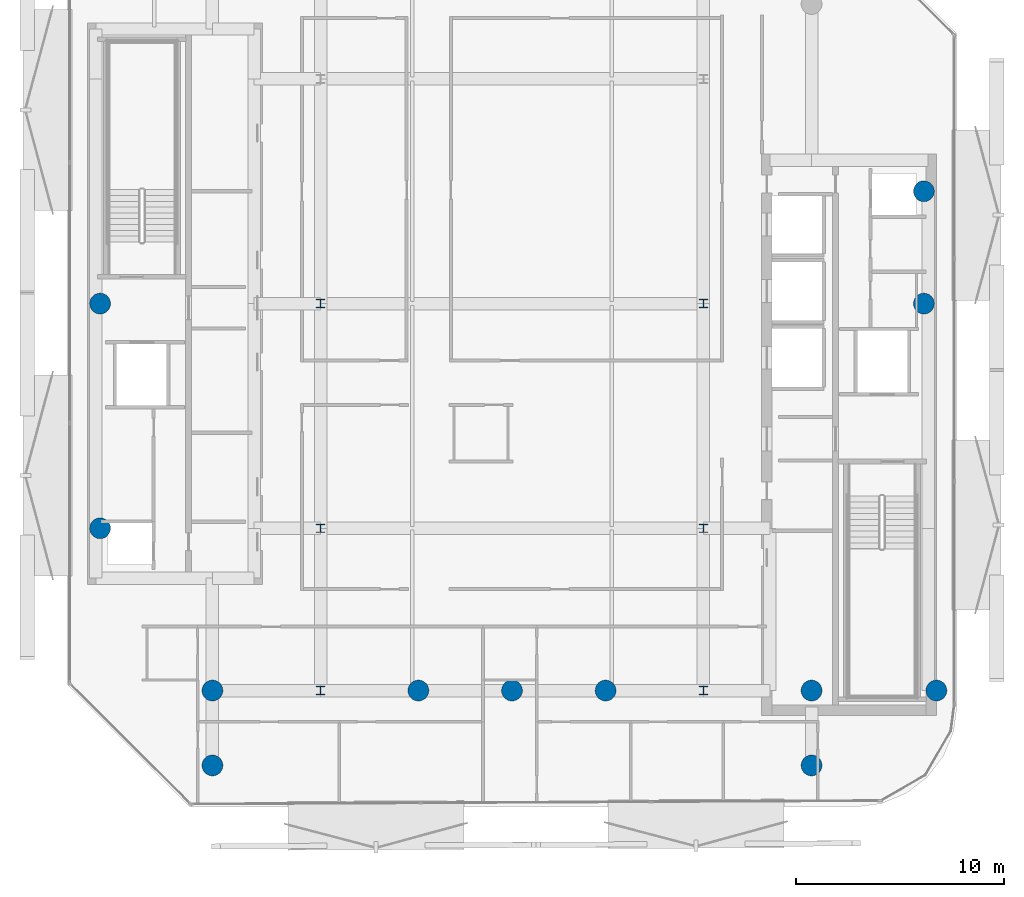
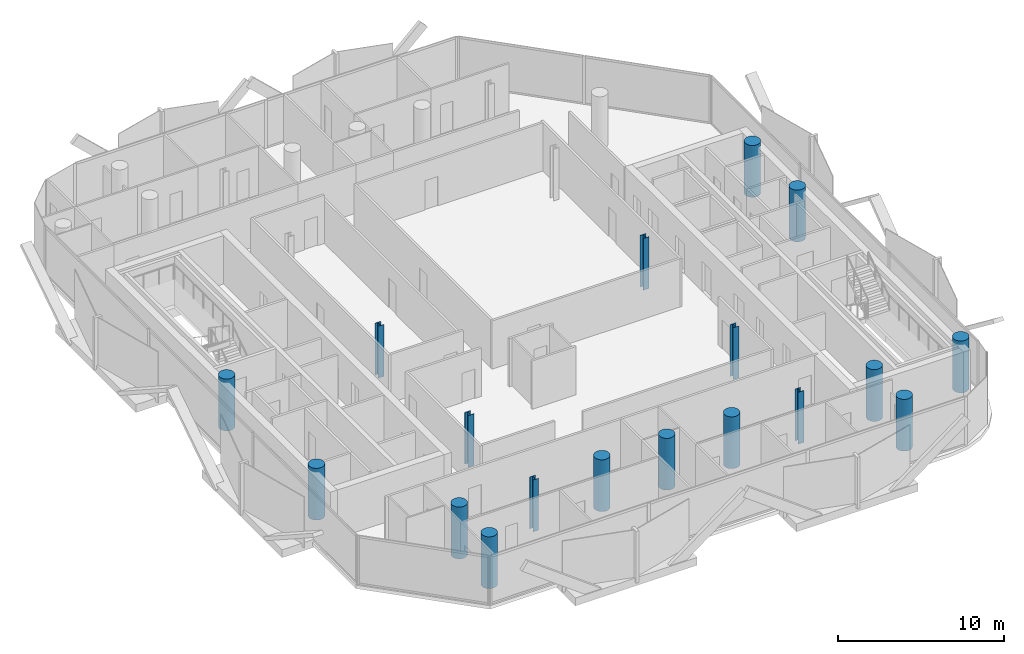
# One storey, part 1 of 15: 18 columns.
"""IFC4 building model written with IfcOpenShell, lengths in metres."""

from ifc_helpers import new_model, si_unit, direction, frame, origin, origin_2d, place, context, subcontext, project, spatial, circle, i_section, extrude, material, material_profile, profile_set, type_object, element, save


model = new_model("IFC4")

# Units and contexts
model_context = context("Model", 3, precision=1e-05, world=origin(), true_north=direction((0.0, 1.0)))
body_context = subcontext(model_context, "Body", "Model", "MODEL_VIEW")
ifc_project = project(units=[si_unit("LENGTHUNIT", "METRE"), si_unit("AREAUNIT", "SQUARE_METRE"), si_unit("VOLUMEUNIT", "CUBIC_METRE"), si_unit("PLANEANGLEUNIT", "RADIAN"), si_unit("MASSUNIT", "GRAM", prefix="KILO")], contexts=[model_context])

# Site, building, storey
site_placement = place(None, origin())
site = spatial("IfcSite", under=ifc_project, at=site_placement, CompositionType="ELEMENT")
building_placement = place(site_placement, origin())
building = spatial("IfcBuilding", under=site, at=building_placement, Name="Khairoan Windgate Tower", CompositionType="ELEMENT")
storey_placement = place(building_placement, frame((0.0, 0.0, 285.199951171875)))
storey = spatial("IfcBuildingStorey", under=building, at=storey_placement, Name="L68", CompositionType="ELEMENT", Elevation=285.199951171875)

# Columns
ifc_material_1 = material(Name="Concrete C60/75", Category="concrete")
ifc_material_profile_1 = material_profile(ifc_material_1, circle(Radius=0.5, at=origin_2d()))
ifc_profile_set_1 = profile_set([ifc_material_profile_1], Name="Concrete C60/75")
column_type_1 = type_object("IfcColumnType", Name="Column C-P1 RC-D1000", PredefinedType="COLUMN", material=ifc_profile_set_1)
for number, where, z_axis, x_axis, name in (
    (1, (20.39990234375, -18.60009765625, 0.0), (0.0, 0.0, 1.0), (1.0, 0.0, 0.0), "Column L68-12"),
    (2, (-14.39990234375, -18.60009765625, 0.0), (0.0, 0.0, 1.0), (1.0, 0.0, 0.0), "Column L68-13"),
    (3, (14.39990234375, -18.60009765625, 0.0), (0.0, 0.0, 1.0), (1.0, 0.0, 0.0), "Column L68-15"),
    (4, (-4.5, -18.60009765625, 0.0), (0.0, 0.0, 1.0), (1.0, 0.0, 0.0), "Column L68-17"),
    (5, (0.0, -18.60009765625, 0.0), (0.0, 0.0, 1.0), (1.0, 0.0, 0.0), "Column L68-18"),
    (6, (4.5, -18.60009765625, 0.0), (0.0, 0.0, 1.0), (1.0, 0.0, 0.0), "Column L68-19"),
    (7, (-19.800048828125, -10.800048828125, 0.0), (0.0, 0.0, 1.0), (1.0, 0.0, 0.0), "Column L68-23"),
    (8, (-19.800048828125, 0.0, 0.0), (0.0, 0.0, 1.0), (1.0, 0.0, 0.0), "Column L68-24"),
    (9, (19.800048828125, 0.0, 0.0), (0.0, 0.0, 1.0), (1.0, 0.0, 0.0), "Column L68-25"),
    (10, (19.800048828125, 5.39990234375, 0.0), (0.0, 0.0, 1.0), (1.0, 0.0, 0.0), "Column L68-26"),
    (11, (-14.39990234375, -22.199951171875, 0.0), (0.0, 0.0, 1.0), (1.0, 0.0, 0.0), "Column L68-27"),
    (12, (14.39990234375, -22.199951171875, 0.0), (0.0, 0.0, 1.0), (1.0, 0.0, 0.0), "Column L68-29"),
):
    element("IfcColumn", number, at=place(storey_placement, frame(where, z_axis=z_axis, x_axis=x_axis)), inside=storey, type_object=column_type_1, Name=name, PredefinedType="COLUMN", context=body_context, shape_type="SweptSolid", body=[
        extrude(circle(Radius=0.5, at=origin_2d()), origin(), (0.0, 0.0, 1.0), 3.800048828125),
    ])
ifc_material_2 = material(Name="Steel S355", Category="steel")
ifc_material_profile_2 = material_profile(ifc_material_2, i_section(OverallWidth=0.39990234375, OverallDepth=0.39990234375, WebThickness=0.012939453125, FlangeThickness=0.02099609375, FilletRadius=0.02197265625, at=origin_2d()))
ifc_profile_set_2 = profile_set([ifc_material_profile_2], Name="Steel S355")
column_type_2 = type_object("IfcColumnType", Name="Steel Column SC4 H400x400x13x21", PredefinedType="COLUMN", material=ifc_profile_set_2)
for number, where, z_axis, x_axis, name in (
    (13, (-9.199951171875, -18.60009765625, 0.0), (0.0, 0.0, 1.0), (1.0, 0.0, 0.0), "Column L68-01"),
    (14, (-9.199951171875, -10.800048828125, 0.0), (0.0, 0.0, 1.0), (1.0, 0.0, 0.0), "Column L68-02"),
    (15, (-9.199951171875, 0.0, 0.0), (0.0, 0.0, 1.0), (1.0, 0.0, 0.0), "Column L68-03"),
    (16, (9.199951171875, -18.60009765625, 0.0), (0.0, 0.0, 1.0), (1.0, 0.0, 0.0), "Column L68-06"),
    (17, (9.199951171875, -10.800048828125, 0.0), (0.0, 0.0, 1.0), (1.0, 0.0, 0.0), "Column L68-07"),
    (18, (9.199951171875, 0.0, 0.0), (0.0, 0.0, 1.0), (1.0, 0.0, 0.0), "Column L68-08"),
):
    element("IfcColumn", number, at=place(storey_placement, frame(where, z_axis=z_axis, x_axis=x_axis)), inside=storey, type_object=column_type_2, Name=name, PredefinedType="COLUMN", context=body_context, shape_type="SweptSolid", body=[
        extrude(i_section(OverallWidth=0.39990234375, OverallDepth=0.39990234375, WebThickness=0.012939453125, FlangeThickness=0.02099609375, FilletRadius=0.02197265625, at=origin_2d()), origin(), (0.0, 0.0, 1.0), 3.800048828125),
    ])

save(model, "model.ifc")
